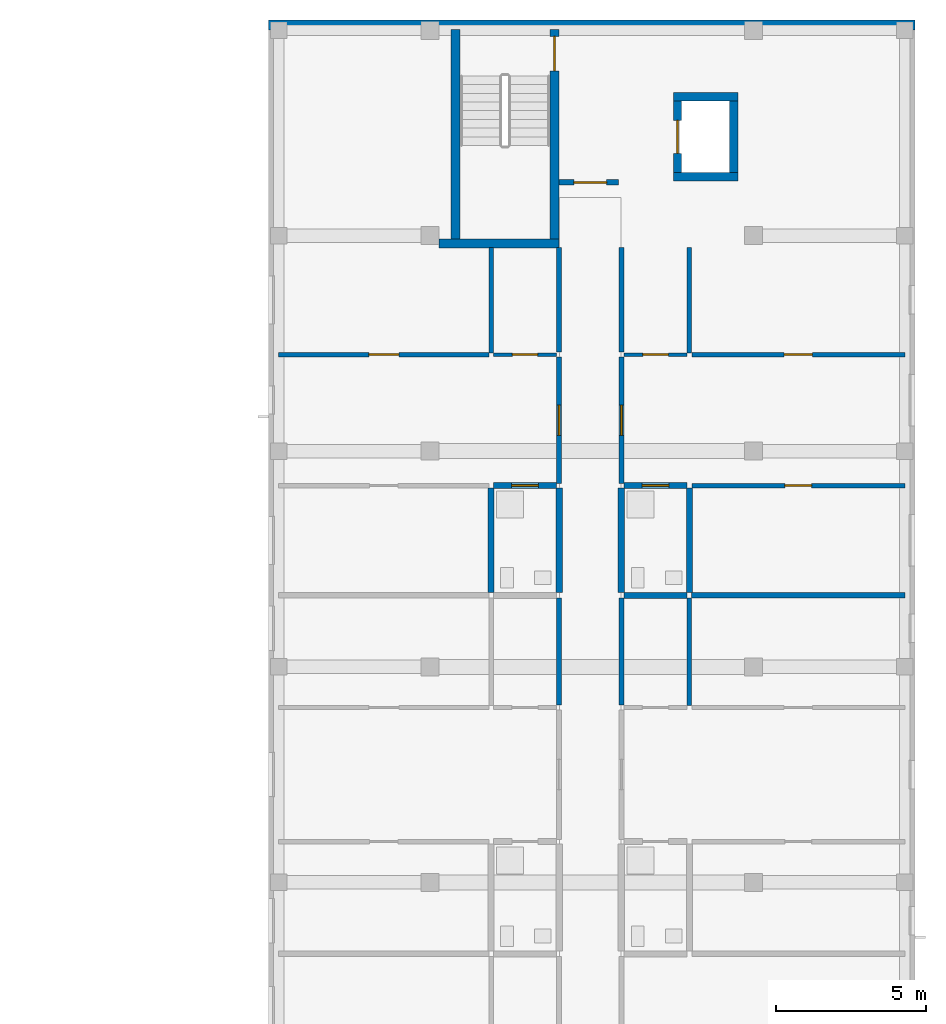
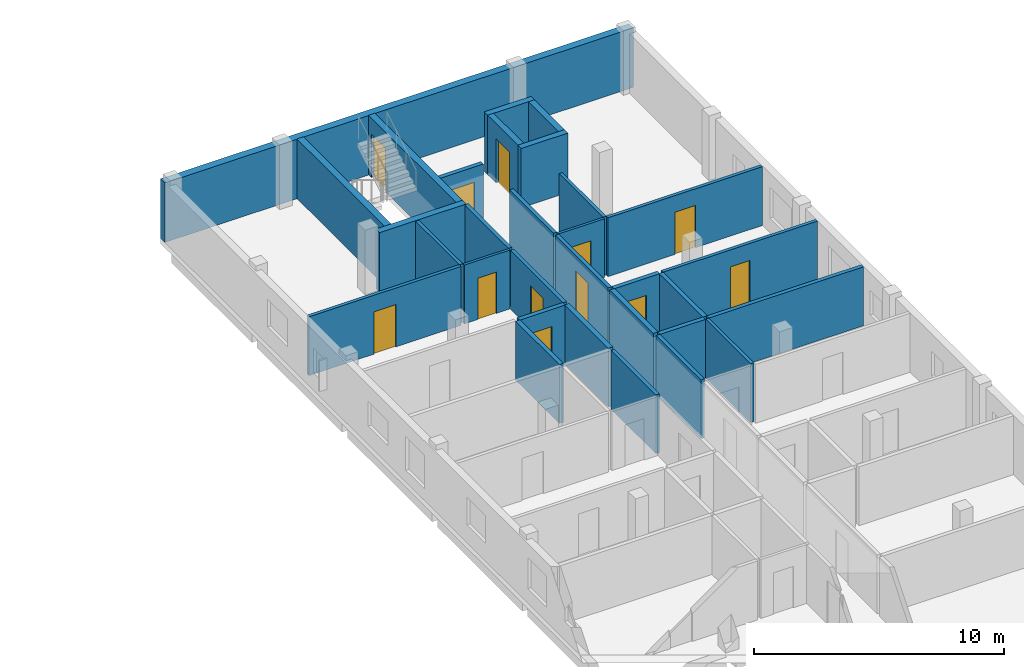
# One storey, part 19 of 35: 31 walls, 12 doors, 12 openings.
"""IFC4 building model written with IfcOpenShell, lengths in metres."""

from ifc_helpers import new_model, si_unit, derived_unit, direction, frame, frame_2d, origin, place, context, subcontext, project, spatial, rectangle, extrude, material, layer, layer_set, type_object, element, fill, save


model = new_model("IFC4")

# Units and contexts
model_context = context("Model", 3, precision=1e-05, world=origin(), true_north=direction((0.0, 1.0)))
body_context = subcontext(model_context, "Body", "Model", "MODEL_VIEW")
ifc_project = project(units=[si_unit("LENGTHUNIT", "METRE"), si_unit("AREAUNIT", "SQUARE_METRE"), si_unit("VOLUMEUNIT", "CUBIC_METRE"), si_unit("PLANEANGLEUNIT", "RADIAN"), si_unit("MASSUNIT", "GRAM", prefix="KILO"), derived_unit("THERMALTRANSMITTANCEUNIT", [(si_unit("MASSUNIT", "GRAM", prefix="KILO"), 1), (si_unit("TIMEUNIT", "SECOND"), -3), (si_unit("THERMODYNAMICTEMPERATUREUNIT", "KELVIN"), -1)])], contexts=[model_context])

# Site, building, storey
site_placement = place(None, origin())
site = spatial("IfcSite", under=ifc_project, at=site_placement, CompositionType="ELEMENT")
building_placement = place(site_placement, origin())
building = spatial("IfcBuilding", under=site, at=building_placement, Name="Ochrekiln Boulevard Commons", CompositionType="ELEMENT")
storey_placement = place(building_placement, frame((0.0, 0.0, 30.97509765625)))
storey = spatial("IfcBuildingStorey", under=building, at=storey_placement, Name="L09", CompositionType="ELEMENT", Elevation=30.97509765625)

# Wall
ifc_material_1 = material(Name="Iron-spot brown clinker brick masonry ASTM C216 Grade SW", Category="masonry")
ifc_layer_1 = layer(ifc_material_1, 0.340087890625)
ifc_layer_set_1 = layer_set([ifc_layer_1], Name="Iron-spot brown clinker brick masonry ASTM C216 Grade SW")
wall_type_1 = type_object("IfcWallType", Name="WL-EXT-IRON-340", PredefinedType="SOLIDWALL", material=ifc_layer_set_1)
wall_1_placement = place(storey_placement, frame((151.199951171875, 118.6298828125, 0.0), z_axis=(0.0, 0.0, 1.0), x_axis=(1.0, 0.0, 0.0)))
element("IfcWall", 1, at=wall_1_placement, inside=storey, type_object=wall_type_1, Name="Block B L09 N Exterior Wall", PredefinedType="SOLIDWALL", context=body_context, shape_type="SweptSolid", body=[
    extrude(rectangle(XDim=21.60009765625, YDim=0.340087890625, at=frame_2d((10.800048828125, 0.0))), origin(), (0.0, 0.0, 1.0), 2.89990234375),
])

# Wall, opening, door
ifc_material_2 = material(Name="Moisture-resistant cementitious tile backer wall")
ifc_layer_2 = layer(ifc_material_2, 0.199951171875)
ifc_layer_set_2 = layer_set([ifc_layer_2], Name="Moisture-resistant cementitious tile backer wall")
wall_type_2 = type_object("IfcWallType", Name="WL-PLM-200", PredefinedType="PLUMBINGWALL", material=ifc_layer_set_2)
wall_2_placement = place(storey_placement, frame((158.719970703125, 103.2470703125, 0.0), z_axis=(0.0, 0.0, 1.0), x_axis=(1.0, 0.0, 0.0)))
wall_2 = element("IfcWall", 2, at=wall_2_placement, inside=storey, type_object=wall_type_2, Name="L09 Interior Wall W-PW200", PredefinedType="PLUMBINGWALL", context=body_context, shape_type="SweptSolid", body=[
    extrude(rectangle(XDim=2.10693359375, YDim=0.199951171875, at=frame_2d((1.053466796875, 0.0))), origin(), (0.0, 0.0, 1.0), 2.869873046875),
])
opening_1_placement = place(wall_2_placement, frame((0.60498046875, 0.0, 0.0)))
opening_1 = element("IfcOpeningElement", 3, at=opening_1_placement, cuts=wall_2, Name="Opening D-L09-1140", PredefinedType="OPENING", context=body_context, shape_type="SweptSolid", body=[
    extrude(rectangle(XDim=0.889892578125, YDim=2.030029296875, at=frame_2d((0.44482421875, 1.01513671875))), frame((0.0, 0.10986328125, 0.0), z_axis=(0.0, -1.0, 0.0), x_axis=(1.0, 0.0, 0.0)), (0.0, 0.0, 1.0), 0.219970703125),
])
ifc_material_3 = material(Name="Solid core architectural oak door leaf")
door_type_1 = type_object("IfcDoorType", Name="DR-INT-BTH-089", OperationType="NOTDEFINED", PredefinedType="DOOR", material=ifc_material_3)
door_1_placement = place(opening_1_placement, frame((0.889892578125, 0.0, 0.0), z_axis=(0.0, 0.0, 1.0), x_axis=(-1.0, 0.0, 0.0)))
door_1 = element("IfcDoor", 4, at=door_1_placement, inside=storey, type_object=door_type_1, Name="L09 Interior Door to Apartment Bathroom", OperationType="SINGLE_SWING_RIGHT", OverallHeight=2.030029296875, OverallWidth=0.889892578125, PredefinedType="DOOR", context=body_context, shape_type="SweptSolid", body=[
    extrude(rectangle(XDim=0.889892578125, YDim=2.030029296875, at=frame_2d((0.44482421875, 1.01513671875))), frame((0.0, 0.02490234375, 0.0), z_axis=(0.0, -1.0, 0.0), x_axis=(1.0, 0.0, 0.0)), (0.0, 0.0, 1.0), 0.050048828125),
])
fill(opening_1, door_1)

# Walls
wall_3_placement = place(storey_placement, frame((158.639892578125, 99.674072265625, 0.0), z_axis=(0.0, 0.0, 1.0), x_axis=(0.0, 1.0, 0.0)))
element("IfcWall", 5, at=wall_3_placement, inside=storey, type_object=wall_type_2, Name="L09 Interior Wall W-PW200", PredefinedType="PLUMBINGWALL", context=body_context, shape_type="SweptSolid", body=[
    extrude(rectangle(XDim=3.492919921875, YDim=0.199951171875, at=frame_2d((1.74658203125, 0.0))), origin(), (0.0, 0.0, 1.0), 2.869873046875),
])
wall_4_placement = place(storey_placement, frame((163.072998046875, 99.583984375, 0.0), z_axis=(0.0, 0.0, 1.0), x_axis=(1.0, 0.0, 0.0)))
element("IfcWall", 6, at=wall_4_placement, inside=storey, type_object=wall_type_2, Name="L09 Interior Wall W-PW200", PredefinedType="PLUMBINGWALL", context=body_context, shape_type="SweptSolid", body=[
    extrude(rectangle(XDim=2.10693359375, YDim=0.199951171875, at=frame_2d((1.053466796875, 0.0))), origin(), (0.0, 0.0, 1.0), 2.869873046875),
])

# Wall, opening, door
wall_5_placement = place(storey_placement, frame((163.072998046875, 103.2470703125, 0.0), z_axis=(0.0, 0.0, 1.0), x_axis=(1.0, 0.0, 0.0)))
wall_5 = element("IfcWall", 7, at=wall_5_placement, inside=storey, type_object=wall_type_2, Name="L09 Interior Wall W-PW200", PredefinedType="PLUMBINGWALL", context=body_context, shape_type="SweptSolid", body=[
    extrude(rectangle(XDim=2.10693359375, YDim=0.199951171875, at=frame_2d((1.053466796875, 0.0))), origin(), (0.0, 0.0, 1.0), 2.869873046875),
])
opening_2_placement = place(wall_5_placement, frame((0.612060546875, 0.0, 0.0)))
opening_2 = element("IfcOpeningElement", 8, at=opening_2_placement, cuts=wall_5, Name="Opening D-L09-1148", PredefinedType="OPENING", context=body_context, shape_type="SweptSolid", body=[
    extrude(rectangle(XDim=0.889892578125, YDim=2.030029296875, at=frame_2d((0.44482421875, 1.01513671875))), frame((0.0, 0.10986328125, 0.0), z_axis=(0.0, -1.0, 0.0), x_axis=(1.0, 0.0, 0.0)), (0.0, 0.0, 1.0), 0.219970703125),
])
door_2_placement = place(opening_2_placement, frame((0.889892578125, 0.0, 0.0), z_axis=(0.0, 0.0, 1.0), x_axis=(-1.0, 0.0, 0.0)))
door_2 = element("IfcDoor", 9, at=door_2_placement, inside=storey, type_object=door_type_1, Name="L09 Interior Door to Apartment Bathroom", OperationType="SINGLE_SWING_RIGHT", OverallHeight=2.030029296875, OverallWidth=0.889892578125, PredefinedType="DOOR", context=body_context, shape_type="SweptSolid", body=[
    extrude(rectangle(XDim=0.889892578125, YDim=2.030029296875, at=frame_2d((0.44482421875, 1.01513671875))), frame((0.0, 0.02490234375, 0.0), z_axis=(0.0, -1.0, 0.0), x_axis=(1.0, 0.0, 0.0)), (0.0, 0.0, 1.0), 0.050048828125),
])
fill(opening_2, door_2)

# Walls
wall_6_placement = place(storey_placement, frame((165.260009765625, 99.674072265625, 0.0), z_axis=(0.0, 0.0, 1.0), x_axis=(0.0, 1.0, 0.0)))
element("IfcWall", 10, at=wall_6_placement, inside=storey, type_object=wall_type_2, Name="L09 Interior Wall W-PW200", PredefinedType="PLUMBINGWALL", context=body_context, shape_type="SweptSolid", body=[
    extrude(rectangle(XDim=3.492919921875, YDim=0.199951171875, at=frame_2d((1.74658203125, 0.0))), origin(), (0.0, 0.0, 1.0), 2.869873046875),
])
ifc_layer_3 = layer(ifc_material_2, 0.219970703125)
ifc_layer_set_3 = layer_set([ifc_layer_3], Name="Moisture-resistant cementitious tile backer wall")
wall_type_3 = type_object("IfcWallType", Name="WL-PLM-220", PredefinedType="PLUMBINGWALL", material=ifc_layer_set_3)
for number, where, z_axis, x_axis, name in (
    (11, (160.909912109375, 99.674072265625, 0.0), (0.0, 0.0, 1.0), (0.0, 1.0, 0.0), "L09 Interior Wall W-PW220"),
    (12, (162.989990234375, 99.674072265625, 0.0), (0.0, 0.0, 1.0), (0.0, 1.0, 0.0), "L09 Interior Wall W-PW220"),
):
    element("IfcWall", number, at=place(storey_placement, frame(where, z_axis=z_axis, x_axis=x_axis)), inside=storey, type_object=wall_type_3, Name=name, PredefinedType="PLUMBINGWALL", context=body_context, shape_type="SweptSolid", body=[
        extrude(rectangle(XDim=3.492919921875, YDim=0.219970703125, at=frame_2d((1.74658203125, 0.0))), origin(), (0.0, 0.0, 1.0), 2.869873046875),
    ])
ifc_material_4 = material(Name="Fire-rated Type X gypsum board on steel studs", Category="steel")
ifc_layer_4 = layer(ifc_material_4, 0.1650390625)
ifc_layer_set_4 = layer_set([ifc_layer_4], Name="Fire-rated Type X gypsum board on steel studs")
wall_type_4 = type_object("IfcWallType", Name="WL-PT-CORR-165", PredefinedType="PARTITIONING", material=ifc_layer_set_4)
wall_7_placement = place(storey_placement, frame((160.909912109375, 95.919921875, 0.0), z_axis=(0.0, 0.0, 1.0), x_axis=(0.0, 1.0, 0.0)))
element("IfcWall", 13, at=wall_7_placement, inside=storey, type_object=wall_type_4, Name="L09 Interior Wall W-PC165", PredefinedType="PARTITIONING", context=body_context, shape_type="SweptSolid", body=[
    extrude(rectangle(XDim=3.573974609375, YDim=0.1650390625, at=frame_2d((1.787109375, 0.0))), origin(), (0.0, 0.0, 1.0), 2.869873046875),
])

# Wall, opening, door
wall_8_placement = place(storey_placement, frame((160.909912109375, 103.326904296875, 0.0), z_axis=(0.0, 0.0, 1.0), x_axis=(0.0, 1.0, 0.0)))
wall_8 = element("IfcWall", 14, at=wall_8_placement, inside=storey, type_object=wall_type_4, Name="L09 Interior Wall W-PC165", PredefinedType="PARTITIONING", context=body_context, shape_type="SweptSolid", body=[
    extrude(rectangle(XDim=4.22021484375, YDim=0.1650390625, at=frame_2d((2.110107421875, 0.0))), origin(), (0.0, 0.0, 1.0), 2.869873046875),
])
opening_3_placement = place(wall_8_placement, frame((1.60498046875, 0.0, 0.0)))
opening_3 = element("IfcOpeningElement", 15, at=opening_3_placement, cuts=wall_8, Name="Opening D-L09-1127", PredefinedType="OPENING", context=body_context, shape_type="SweptSolid", body=[
    extrude(rectangle(XDim=1.010009765625, YDim=2.110107421875, at=frame_2d((0.5048828125, 1.05517578125))), frame((0.0, 0.092529296875, 0.0), z_axis=(0.0, -1.0, 0.0), x_axis=(1.0, 0.0, 0.0)), (0.0, 0.0, 1.0), 0.18505859375),
])
door_type_2 = type_object("IfcDoorType", Name="DR-INT-APT-101", OperationType="NOTDEFINED", PredefinedType="DOOR", material=ifc_material_3)
door_3_placement = place(opening_3_placement, origin())
door_3 = element("IfcDoor", 16, at=door_3_placement, inside=storey, type_object=door_type_2, Name="L09 Interior Door to Two-Bedroom Apartment Living Room", OperationType="SINGLE_SWING_LEFT", OverallHeight=2.110107421875, OverallWidth=1.010009765625, PredefinedType="DOOR", context=body_context, shape_type="SweptSolid", body=[
    extrude(rectangle(XDim=1.010009765625, YDim=2.110107421875, at=frame_2d((0.5048828125, 1.05517578125))), frame((0.0, 0.02490234375, 0.0), z_axis=(0.0, -1.0, 0.0), x_axis=(1.0, 0.0, 0.0)), (0.0, 0.0, 1.0), 0.050048828125),
])
fill(opening_3, door_3)

# Walls
wall_9_placement = place(storey_placement, frame((160.909912109375, 107.70703125, 0.0), z_axis=(0.0, 0.0, 1.0), x_axis=(0.0, 1.0, 0.0)))
element("IfcWall", 17, at=wall_9_placement, inside=storey, type_object=wall_type_4, Name="L09 Interior Wall W-PC165", PredefinedType="PARTITIONING", context=body_context, shape_type="SweptSolid", body=[
    extrude(rectangle(XDim=3.492919921875, YDim=0.1650390625, at=frame_2d((1.74658203125, 0.0))), origin(), (0.0, 0.0, 1.0), 2.869873046875),
])
wall_10_placement = place(storey_placement, frame((162.989990234375, 95.919921875, 0.0), z_axis=(0.0, 0.0, 1.0), x_axis=(0.0, 1.0, 0.0)))
element("IfcWall", 18, at=wall_10_placement, inside=storey, type_object=wall_type_4, Name="L09 Interior Wall W-PC165", PredefinedType="PARTITIONING", context=body_context, shape_type="SweptSolid", body=[
    extrude(rectangle(XDim=3.573974609375, YDim=0.1650390625, at=frame_2d((1.787109375, 0.0))), origin(), (0.0, 0.0, 1.0), 2.869873046875),
])

# Wall, opening, door
wall_11_placement = place(storey_placement, frame((162.989990234375, 103.326904296875, 0.0), z_axis=(0.0, 0.0, 1.0), x_axis=(0.0, 1.0, 0.0)))
wall_11 = element("IfcWall", 19, at=wall_11_placement, inside=storey, type_object=wall_type_4, Name="L09 Interior Wall W-PC165", PredefinedType="PARTITIONING", context=body_context, shape_type="SweptSolid", body=[
    extrude(rectangle(XDim=4.22021484375, YDim=0.1650390625, at=frame_2d((2.110107421875, 0.0))), origin(), (0.0, 0.0, 1.0), 2.869873046875),
])
opening_4_placement = place(wall_11_placement, frame((1.60498046875, 0.0, 0.0)))
opening_4 = element("IfcOpeningElement", 20, at=opening_4_placement, cuts=wall_11, Name="Opening D-L09-1131", PredefinedType="OPENING", context=body_context, shape_type="SweptSolid", body=[
    extrude(rectangle(XDim=1.010009765625, YDim=2.110107421875, at=frame_2d((0.5048828125, 1.05517578125))), frame((0.0, 0.092529296875, 0.0), z_axis=(0.0, -1.0, 0.0), x_axis=(1.0, 0.0, 0.0)), (0.0, 0.0, 1.0), 0.18505859375),
])
door_4_placement = place(opening_4_placement, frame((1.010009765625, 0.0, 0.0), z_axis=(0.0, 0.0, 1.0), x_axis=(-1.0, 0.0, 0.0)))
door_4 = element("IfcDoor", 21, at=door_4_placement, inside=storey, type_object=door_type_2, Name="L09 Interior Door to Two-Bedroom Apartment Living Room", OperationType="SINGLE_SWING_LEFT", OverallHeight=2.110107421875, OverallWidth=1.010009765625, PredefinedType="DOOR", context=body_context, shape_type="SweptSolid", body=[
    extrude(rectangle(XDim=1.010009765625, YDim=2.110107421875, at=frame_2d((0.5048828125, 1.05517578125))), frame((0.0, 0.02490234375, 0.0), z_axis=(0.0, -1.0, 0.0), x_axis=(1.0, 0.0, 0.0)), (0.0, 0.0, 1.0), 0.050048828125),
])
fill(opening_4, door_4)

# Walls
wall_12_placement = place(storey_placement, frame((162.989990234375, 107.70703125, 0.0), z_axis=(0.0, 0.0, 1.0), x_axis=(0.0, 1.0, 0.0)))
element("IfcWall", 22, at=wall_12_placement, inside=storey, type_object=wall_type_4, Name="L09 Interior Wall W-PC165", PredefinedType="PARTITIONING", context=body_context, shape_type="SweptSolid", body=[
    extrude(rectangle(XDim=3.492919921875, YDim=0.1650390625, at=frame_2d((1.74658203125, 0.0))), origin(), (0.0, 0.0, 1.0), 2.869873046875),
])
ifc_layer_5 = layer(ifc_material_4, 0.179931640625)
ifc_layer_set_5 = layer_set([ifc_layer_5], Name="Fire-rated Type X gypsum board on steel studs")
wall_type_5 = type_object("IfcWallType", Name="WL-PT-DEM-180", PredefinedType="PARTITIONING", material=ifc_layer_set_5)
wall_13_placement = place(storey_placement, frame((165.3349609375, 99.583984375, 0.0), z_axis=(0.0, 0.0, 1.0), x_axis=(1.0, 0.0, 0.0)))
element("IfcWall", 23, at=wall_13_placement, inside=storey, type_object=wall_type_5, Name="L09 Interior Wall W-PD180", PredefinedType="PARTITIONING", context=body_context, shape_type="SweptSolid", body=[
    extrude(rectangle(XDim=7.125, YDim=0.179931640625, at=frame_2d((3.5625, 0.0))), origin(), (0.0, 0.0, 1.0), 2.869873046875),
])

# Wall, opening, door
ifc_layer_6 = layer(ifc_material_4, 0.18994140625)
ifc_layer_set_6 = layer_set([ifc_layer_6], Name="Fire-rated Type X gypsum board on steel studs")
wall_type_6 = type_object("IfcWallType", Name="WL-PT-LBY-190", PredefinedType="PARTITIONING", material=ifc_layer_set_6)
wall_14_placement = place(storey_placement, frame((160.89990234375, 113.3798828125, 0.0), z_axis=(0.0, 0.0, 1.0), x_axis=(1.0, 0.0, 0.0)))
wall_14 = element("IfcWall", 24, at=wall_14_placement, inside=storey, type_object=wall_type_6, Name="L09 Interior Wall W-PL190", PredefinedType="PARTITIONING", context=body_context, shape_type="SweptSolid", body=[
    extrude(rectangle(XDim=2.0, YDim=0.18994140625, at=frame_2d((1.0, 0.0))), origin(), (0.0, 0.0, 1.0), 2.869873046875),
])
opening_5_placement = place(wall_14_placement, frame((0.5, 0.0, 0.0)))
opening_5 = element("IfcOpeningElement", 25, at=opening_5_placement, cuts=wall_14, Name="Opening D-L09-1123", PredefinedType="OPENING", context=body_context, shape_type="SweptSolid", body=[
    extrude(rectangle(XDim=1.10009765625, YDim=2.1201171875, at=frame_2d((0.550048828125, 1.06005859375))), frame((0.0, 0.10498046875, 0.0), z_axis=(0.0, -1.0, 0.0), x_axis=(1.0, 0.0, 0.0)), (0.0, 0.0, 1.0), 0.2099609375),
])
ifc_material_5 = material(Name="Hollow metal fire-rated steel door assembly", Category="steel")
door_type_3 = type_object("IfcDoorType", Name="DR-LOBBY-60", OperationType="NOTDEFINED", PredefinedType="DOOR", material=ifc_material_5)
door_5_placement = place(opening_5_placement, origin())
door_5 = element("IfcDoor", 26, at=door_5_placement, inside=storey, type_object=door_type_3, Name="L09 Interior Door to Fire Service Access Elevator Lobby", OperationType="SINGLE_SWING_LEFT", OverallHeight=2.1201171875, OverallWidth=1.10009765625, PredefinedType="DOOR", context=body_context, shape_type="SweptSolid", body=[
    extrude(rectangle(XDim=1.10009765625, YDim=2.1201171875, at=frame_2d((0.550048828125, 1.06005859375))), frame((0.0, 0.02490234375, 0.0), z_axis=(0.0, -1.0, 0.0), x_axis=(1.0, 0.0, 0.0)), (0.0, 0.0, 1.0), 0.050048828125),
])
fill(opening_5, door_5)

ifc_layer_7 = layer(ifc_material_4, 0.1201171875)
ifc_layer_set_7 = layer_set([ifc_layer_7], Name="Fire-rated Type X gypsum board on steel studs")
wall_type_7 = type_object("IfcWallType", Name="WL-PT-LGT-120", PredefinedType="PARTITIONING", material=ifc_layer_set_7)
wall_15_placement = place(storey_placement, frame((158.719970703125, 107.626953125, 0.0), z_axis=(0.0, 0.0, 1.0), x_axis=(1.0, 0.0, 0.0)))
wall_15 = element("IfcWall", 27, at=wall_15_placement, inside=storey, type_object=wall_type_7, Name="L09 Interior Wall W-PL120", PredefinedType="PARTITIONING", context=body_context, shape_type="SweptSolid", body=[
    extrude(rectangle(XDim=2.10693359375, YDim=0.1201171875, at=frame_2d((1.053466796875, 0.0))), origin(), (0.0, 0.0, 1.0), 2.869873046875),
])
opening_6_placement = place(wall_15_placement, frame((0.625, 0.0, 0.0)))
opening_6 = element("IfcOpeningElement", 28, at=opening_6_placement, cuts=wall_15, Name="Opening D-L09-1141", PredefinedType="OPENING", context=body_context, shape_type="SweptSolid", body=[
    extrude(rectangle(XDim=0.85009765625, YDim=2.010009765625, at=frame_2d((0.425048828125, 1.0048828125))), frame((0.0, 0.070068359375, 0.0), z_axis=(0.0, -1.0, 0.0), x_axis=(1.0, 0.0, 0.0)), (0.0, 0.0, 1.0), 0.14013671875),
])
door_type_4 = type_object("IfcDoorType", Name="DR-INT-KIT-085", OperationType="NOTDEFINED", PredefinedType="DOOR", material=ifc_material_3)
door_6_placement = place(opening_6_placement, origin())
door_6 = element("IfcDoor", 29, at=door_6_placement, inside=storey, type_object=door_type_4, Name="L09 Interior Door to Apartment Kitchen", OperationType="SINGLE_SWING_LEFT", OverallHeight=2.010009765625, OverallWidth=0.85009765625, PredefinedType="DOOR", context=body_context, shape_type="SweptSolid", body=[
    extrude(rectangle(XDim=0.85009765625, YDim=2.010009765625, at=frame_2d((0.425048828125, 1.0048828125))), frame((0.0, 0.02490234375, 0.0), z_axis=(0.0, -1.0, 0.0), x_axis=(1.0, 0.0, 0.0)), (0.0, 0.0, 1.0), 0.050048828125),
])
fill(opening_6, door_6)

wall_16_placement = place(storey_placement, frame((163.072998046875, 107.626953125, 0.0), z_axis=(0.0, 0.0, 1.0), x_axis=(1.0, 0.0, 0.0)))
wall_16 = element("IfcWall", 30, at=wall_16_placement, inside=storey, type_object=wall_type_7, Name="L09 Interior Wall W-PL120", PredefinedType="PARTITIONING", context=body_context, shape_type="SweptSolid", body=[
    extrude(rectangle(XDim=2.10693359375, YDim=0.1201171875, at=frame_2d((1.053466796875, 0.0))), origin(), (0.0, 0.0, 1.0), 2.869873046875),
])
opening_7_placement = place(wall_16_placement, frame((0.632080078125, 0.0, 0.0)))
opening_7 = element("IfcOpeningElement", 31, at=opening_7_placement, cuts=wall_16, Name="Opening D-L09-1149", PredefinedType="OPENING", context=body_context, shape_type="SweptSolid", body=[
    extrude(rectangle(XDim=0.85009765625, YDim=2.010009765625, at=frame_2d((0.425048828125, 1.0048828125))), frame((0.0, 0.070068359375, 0.0), z_axis=(0.0, -1.0, 0.0), x_axis=(1.0, 0.0, 0.0)), (0.0, 0.0, 1.0), 0.14013671875),
])
door_7_placement = place(opening_7_placement, origin())
door_7 = element("IfcDoor", 32, at=door_7_placement, inside=storey, type_object=door_type_4, Name="L09 Interior Door to Apartment Kitchen", OperationType="SINGLE_SWING_LEFT", OverallHeight=2.010009765625, OverallWidth=0.85009765625, PredefinedType="DOOR", context=body_context, shape_type="SweptSolid", body=[
    extrude(rectangle(XDim=0.85009765625, YDim=2.010009765625, at=frame_2d((0.425048828125, 1.0048828125))), frame((0.0, 0.02490234375, 0.0), z_axis=(0.0, -1.0, 0.0), x_axis=(1.0, 0.0, 0.0)), (0.0, 0.0, 1.0), 0.050048828125),
])
fill(opening_7, door_7)

ifc_layer_8 = layer(ifc_material_4, 0.14990234375)
ifc_layer_set_8 = layer_set([ifc_layer_8], Name="Fire-rated Type X gypsum board on steel studs")
wall_type_8 = type_object("IfcWallType", Name="WL-PT-STD-150", PredefinedType="PARTITIONING", material=ifc_layer_set_8)
wall_17_placement = place(storey_placement, frame((151.5400390625, 107.626953125, 0.0), z_axis=(0.0, 0.0, 1.0), x_axis=(1.0, 0.0, 0.0)))
wall_17 = element("IfcWall", 33, at=wall_17_placement, inside=storey, type_object=wall_type_8, Name="L09 Interior Wall W-PS150", PredefinedType="PARTITIONING", context=body_context, shape_type="SweptSolid", body=[
    extrude(rectangle(XDim=7.02001953125, YDim=0.14990234375, at=frame_2d((3.510009765625, 0.0))), origin(), (0.0, 0.0, 1.0), 2.869873046875),
])
opening_8_placement = place(wall_17_placement, frame((3.014892578125, 0.0, 0.0)))
opening_8 = element("IfcOpeningElement", 34, at=opening_8_placement, cuts=wall_17, Name="Opening D-L09-1143", PredefinedType="OPENING", context=body_context, shape_type="SweptSolid", body=[
    extrude(rectangle(XDim=1.0, YDim=2.06005859375, at=frame_2d((0.5, 1.030029296875))), frame((0.0, 0.0849609375, 0.0), z_axis=(0.0, -1.0, 0.0), x_axis=(1.0, 0.0, 0.0)), (0.0, 0.0, 1.0), 0.169921875),
])
door_type_5 = type_object("IfcDoorType", Name="DR-INT-BED-100", OperationType="NOTDEFINED", PredefinedType="DOOR", material=ifc_material_3)
door_8_placement = place(opening_8_placement, origin())
door_8 = element("IfcDoor", 35, at=door_8_placement, inside=storey, type_object=door_type_5, Name="L09 Interior Door to Secondary Apartment Bedroom", OperationType="SINGLE_SWING_LEFT", OverallHeight=2.06005859375, OverallWidth=1.0, PredefinedType="DOOR", context=body_context, shape_type="SweptSolid", body=[
    extrude(rectangle(XDim=1.0, YDim=2.06005859375, at=frame_2d((0.5, 1.030029296875))), frame((0.0, 0.02490234375, 0.0), z_axis=(0.0, -1.0, 0.0), x_axis=(1.0, 0.0, 0.0)), (0.0, 0.0, 1.0), 0.050048828125),
])
fill(opening_8, door_8)

# Walls
wall_18_placement = place(storey_placement, frame((158.639892578125, 107.68701171875, 0.0), z_axis=(0.0, 0.0, 1.0), x_axis=(0.0, 1.0, 0.0)))
element("IfcWall", 36, at=wall_18_placement, inside=storey, type_object=wall_type_8, Name="L09 Interior Wall W-PS150", PredefinedType="PARTITIONING", context=body_context, shape_type="SweptSolid", body=[
    extrude(rectangle(XDim=3.512939453125, YDim=0.14990234375, at=frame_2d((1.75634765625, 0.0))), origin(), (0.0, 0.0, 1.0), 2.869873046875),
])
wall_19_placement = place(storey_placement, frame((165.260009765625, 95.89990234375, 0.0), z_axis=(0.0, 0.0, 1.0), x_axis=(0.0, 1.0, 0.0)))
element("IfcWall", 37, at=wall_19_placement, inside=storey, type_object=wall_type_8, Name="L09 Interior Wall W-PS150", PredefinedType="PARTITIONING", context=body_context, shape_type="SweptSolid", body=[
    extrude(rectangle(XDim=3.593994140625, YDim=0.14990234375, at=frame_2d((1.796875, 0.0))), origin(), (0.0, 0.0, 1.0), 2.869873046875),
])

# Wall, opening, door
wall_20_placement = place(storey_placement, frame((165.340087890625, 103.2470703125, 0.0), z_axis=(0.0, 0.0, 1.0), x_axis=(1.0, 0.0, 0.0)))
wall_20 = element("IfcWall", 38, at=wall_20_placement, inside=storey, type_object=wall_type_8, Name="L09 Interior Wall W-PS150", PredefinedType="PARTITIONING", context=body_context, shape_type="SweptSolid", body=[
    extrude(rectangle(XDim=7.119873046875, YDim=0.14990234375, at=frame_2d((3.56005859375, 0.0))), origin(), (0.0, 0.0, 1.0), 2.869873046875),
])
opening_9_placement = place(wall_20_placement, frame((3.10498046875, 0.0, 0.0)))
opening_9 = element("IfcOpeningElement", 39, at=opening_9_placement, cuts=wall_20, Name="Opening D-L09-1150", PredefinedType="OPENING", context=body_context, shape_type="SweptSolid", body=[
    extrude(rectangle(XDim=0.89990234375, YDim=2.0400390625, at=frame_2d((0.449951171875, 1.02001953125))), frame((0.0, 0.0849609375, 0.0), z_axis=(0.0, -1.0, 0.0), x_axis=(1.0, 0.0, 0.0)), (0.0, 0.0, 1.0), 0.169921875),
])
door_type_6 = type_object("IfcDoorType", Name="DR-INT-BED-090", OperationType="NOTDEFINED", PredefinedType="DOOR", material=ifc_material_3)
door_9_placement = place(opening_9_placement, frame((0.89990234375, 0.0, 0.0), z_axis=(0.0, 0.0, 1.0), x_axis=(-1.0, 0.0, 0.0)))
door_9 = element("IfcDoor", 40, at=door_9_placement, inside=storey, type_object=door_type_6, Name="L09 Interior Door to Primary Apartment Bedroom", OperationType="SINGLE_SWING_RIGHT", OverallHeight=2.0400390625, OverallWidth=0.89990234375, PredefinedType="DOOR", context=body_context, shape_type="SweptSolid", body=[
    extrude(rectangle(XDim=0.89990234375, YDim=2.0400390625, at=frame_2d((0.449951171875, 1.02001953125))), frame((0.0, 0.02490234375, 0.0), z_axis=(0.0, -1.0, 0.0), x_axis=(1.0, 0.0, 0.0)), (0.0, 0.0, 1.0), 0.050048828125),
])
fill(opening_9, door_9)

wall_21_placement = place(storey_placement, frame((165.340087890625, 107.626953125, 0.0), z_axis=(0.0, 0.0, 1.0), x_axis=(1.0, 0.0, 0.0)))
wall_21 = element("IfcWall", 41, at=wall_21_placement, inside=storey, type_object=wall_type_8, Name="L09 Interior Wall W-PS150", PredefinedType="PARTITIONING", context=body_context, shape_type="SweptSolid", body=[
    extrude(rectangle(XDim=7.119873046875, YDim=0.14990234375, at=frame_2d((3.56005859375, 0.0))), origin(), (0.0, 0.0, 1.0), 2.869873046875),
])
opening_10_placement = place(wall_21_placement, frame((3.0849609375, 0.0, 0.0)))
opening_10 = element("IfcOpeningElement", 42, at=opening_10_placement, cuts=wall_21, Name="Opening D-L09-1151", PredefinedType="OPENING", context=body_context, shape_type="SweptSolid", body=[
    extrude(rectangle(XDim=0.93994140625, YDim=2.06005859375, at=frame_2d((0.469970703125, 1.030029296875))), frame((0.0, 0.0849609375, 0.0), z_axis=(0.0, -1.0, 0.0), x_axis=(1.0, 0.0, 0.0)), (0.0, 0.0, 1.0), 0.169921875),
])
door_type_7 = type_object("IfcDoorType", Name="DR-INT-BED-094", OperationType="NOTDEFINED", PredefinedType="DOOR", material=ifc_material_3)
door_10_placement = place(opening_10_placement, origin())
door_10 = element("IfcDoor", 43, at=door_10_placement, inside=storey, type_object=door_type_7, Name="L09 Interior Door to Secondary Apartment Bedroom", OperationType="SINGLE_SWING_LEFT", OverallHeight=2.06005859375, OverallWidth=0.93994140625, PredefinedType="DOOR", context=body_context, shape_type="SweptSolid", body=[
    extrude(rectangle(XDim=0.93994140625, YDim=2.06005859375, at=frame_2d((0.469970703125, 1.030029296875))), frame((0.0, 0.02490234375, 0.0), z_axis=(0.0, -1.0, 0.0), x_axis=(1.0, 0.0, 0.0)), (0.0, 0.0, 1.0), 0.050048828125),
])
fill(opening_10, door_10)

# Walls
wall_22_placement = place(storey_placement, frame((165.260009765625, 107.68701171875, 0.0), z_axis=(0.0, 0.0, 1.0), x_axis=(0.0, 1.0, 0.0)))
element("IfcWall", 44, at=wall_22_placement, inside=storey, type_object=wall_type_8, Name="L09 Interior Wall W-PS150", PredefinedType="PARTITIONING", context=body_context, shape_type="SweptSolid", body=[
    extrude(rectangle(XDim=3.512939453125, YDim=0.14990234375, at=frame_2d((1.75634765625, 0.0))), origin(), (0.0, 0.0, 1.0), 2.869873046875),
])
ifc_material_6 = material(Name="Concrete C40/50", Category="concrete")
ifc_layer_9 = layer(ifc_material_6, 0.27490234375)
ifc_layer_set_9 = layer_set([ifc_layer_9], Name="Concrete C40/50")
wall_type_9 = type_object("IfcWallType", Name="WL-SH-275", PredefinedType="SHEAR", material=ifc_layer_set_9)
for number, where, z_axis, x_axis, name in (
    (45, (164.72509765625, 113.5625, 0.0), (0.0, 0.0, 1.0), (1.0, 0.0, 0.0), "Elevator FF-B2 L09 Hoistway Shear Wall"),
    (46, (164.72509765625, 116.237548828125, 0.0), (0.0, 0.0, 1.0), (1.0, 0.0, 0.0), "Elevator FF-B2 L09 Hoistway Shear Wall"),
):
    element("IfcWall", number, at=place(storey_placement, frame(where, z_axis=z_axis, x_axis=x_axis)), inside=storey, type_object=wall_type_9, Name=name, PredefinedType="SHEAR", context=body_context, shape_type="SweptSolid", body=[
        extrude(rectangle(XDim=2.14990234375, YDim=0.27490234375, at=frame_2d((1.074951171875, 0.0))), origin(), (0.0, 0.0, 1.0), 2.89990234375),
    ])

# Wall, opening, door
wall_23_placement = place(storey_placement, frame((164.862548828125, 113.699951171875, 0.0), z_axis=(0.0, 0.0, 1.0), x_axis=(0.0, 1.0, 0.0)))
wall_23 = element("IfcWall", 47, at=wall_23_placement, inside=storey, type_object=wall_type_9, Name="Elevator FF-B2 L09 Hoistway Shear Wall", PredefinedType="SHEAR", context=body_context, shape_type="SweptSolid", body=[
    extrude(rectangle(XDim=2.400146484375, YDim=0.27490234375, at=frame_2d((1.2001953125, 0.0))), origin(), (0.0, 0.0, 1.0), 2.89990234375),
])
opening_11_placement = place(wall_23_placement, frame((0.64990234375, 0.0, 0.0)))
opening_11 = element("IfcOpeningElement", 48, at=opening_11_placement, cuts=wall_23, Name="Opening LD-FF-B2-L09", PredefinedType="OPENING", context=body_context, shape_type="SweptSolid", body=[
    extrude(rectangle(XDim=1.10009765625, YDim=2.14990234375, at=frame_2d((0.550048828125, 1.074951171875))), frame((0.0, 0.1474609375, 0.0), z_axis=(0.0, -1.0, 0.0), x_axis=(1.0, 0.0, 0.0)), (0.0, 0.0, 1.0), 0.294921875),
])
ifc_material_7 = material(Name="Brushed stainless steel 316 elevator cab and doors", Category="steel")
door_type_8 = type_object("IfcDoorType", Name="DR-LIFT-LD90", OperationType="SLIDING_TO_LEFT", PredefinedType="DOOR", material=ifc_material_7)
door_11_placement = place(opening_11_placement, origin())
door_11 = element("IfcDoor", 49, at=door_11_placement, inside=storey, type_object=door_type_8, Name="Elevator FF-B2 L09 Sliding Landing Door LD-FF-B2-L09", OperationType="SLIDING_TO_LEFT", OverallHeight=2.14990234375, OverallWidth=1.10009765625, PredefinedType="DOOR", context=body_context, shape_type="SweptSolid", body=[
    extrude(rectangle(XDim=1.10009765625, YDim=2.14990234375, at=frame_2d((0.550048828125, 1.074951171875))), frame((0.0, 0.02490234375, 0.0), z_axis=(0.0, -1.0, 0.0), x_axis=(1.0, 0.0, 0.0)), (0.0, 0.0, 1.0), 0.050048828125),
])
fill(opening_11, door_11)

# Walls
wall_24_placement = place(storey_placement, frame((166.737548828125, 113.699951171875, 0.0), z_axis=(0.0, 0.0, 1.0), x_axis=(0.0, 1.0, 0.0)))
element("IfcWall", 50, at=wall_24_placement, inside=storey, type_object=wall_type_9, Name="Elevator FF-B2 L09 Hoistway Shear Wall", PredefinedType="SHEAR", context=body_context, shape_type="SweptSolid", body=[
    extrude(rectangle(XDim=2.400146484375, YDim=0.27490234375, at=frame_2d((1.2001953125, 0.0))), origin(), (0.0, 0.0, 1.0), 2.89990234375),
])
ifc_layer_10 = layer(ifc_material_6, 0.300048828125)
ifc_layer_set_10 = layer_set([ifc_layer_10], Name="Concrete C40/50")
wall_type_10 = type_object("IfcWallType", Name="WL-SH-300", PredefinedType="SHEAR", material=ifc_layer_set_10)
wall_25_placement = place(storey_placement, frame((156.89990234375, 111.330078125, 0.0), z_axis=(0.0, 0.0, 1.0), x_axis=(1.0, 0.0, 0.0)))
element("IfcWall", 51, at=wall_25_placement, inside=storey, type_object=wall_type_10, Name="Stair ST-B2 L09 Core Shear Wall S", PredefinedType="SHEAR", context=body_context, shape_type="SweptSolid", body=[
    extrude(rectangle(XDim=4.0, YDim=0.300048828125, at=frame_2d((2.0, 0.0))), origin(), (0.0, 0.0, 1.0), 2.89990234375),
])
wall_26_placement = place(storey_placement, frame((157.449951171875, 111.47998046875, 0.0), z_axis=(0.0, 0.0, 1.0), x_axis=(0.0, 1.0, 0.0)))
element("IfcWall", 52, at=wall_26_placement, inside=storey, type_object=wall_type_10, Name="Stair ST-B2 L09 Core Shear Wall W", PredefinedType="SHEAR", context=body_context, shape_type="SweptSolid", body=[
    extrude(rectangle(XDim=7.0, YDim=0.300048828125, at=frame_2d((3.5, 0.0))), origin(), (0.0, 0.0, 1.0), 2.89990234375),
])

# Wall, opening, door
wall_27_placement = place(storey_placement, frame((160.75, 111.47998046875, 0.0), z_axis=(0.0, 0.0, 1.0), x_axis=(0.0, 1.0, 0.0)))
wall_27 = element("IfcWall", 53, at=wall_27_placement, inside=storey, type_object=wall_type_10, Name="Stair ST-B2 L09 Core Shear Wall E", PredefinedType="SHEAR", context=body_context, shape_type="SweptSolid", body=[
    extrude(rectangle(XDim=7.0, YDim=0.300048828125, at=frame_2d((3.5, 0.0))), origin(), (0.0, 0.0, 1.0), 2.89990234375),
])
opening_12_placement = place(wall_27_placement, frame((5.625, 0.0, 0.0)))
opening_12 = element("IfcOpeningElement", 54, at=opening_12_placement, cuts=wall_27, Name="Opening D-L09-ST-B2", PredefinedType="OPENING", context=body_context, shape_type="SweptSolid", body=[
    extrude(rectangle(XDim=1.14990234375, YDim=2.1201171875, at=frame_2d((0.574951171875, 1.06005859375))), frame((0.0, 0.159912109375, 0.0), z_axis=(0.0, -1.0, 0.0), x_axis=(1.0, 0.0, 0.0)), (0.0, 0.0, 1.0), 0.320068359375),
])
door_type_9 = type_object("IfcDoorType", Name="DR-STAIR-90", OperationType="NOTDEFINED", PredefinedType="DOOR", material=ifc_material_5)
door_12_placement = place(opening_12_placement, origin())
door_12 = element("IfcDoor", 55, at=door_12_placement, inside=storey, type_object=door_type_9, Name="Enclosed Exit Stair ST-B2 L09 Rated Door", OperationType="SINGLE_SWING_LEFT", OverallHeight=2.1201171875, OverallWidth=1.14990234375, PredefinedType="DOOR", context=body_context, shape_type="SweptSolid", body=[
    extrude(rectangle(XDim=1.14990234375, YDim=2.1201171875, at=frame_2d((0.574951171875, 1.06005859375))), frame((0.0, 0.02490234375, 0.0), z_axis=(0.0, -1.0, 0.0), x_axis=(1.0, 0.0, 0.0)), (0.0, 0.0, 1.0), 0.050048828125),
])
fill(opening_12, door_12)

save(model, "model.ifc")
